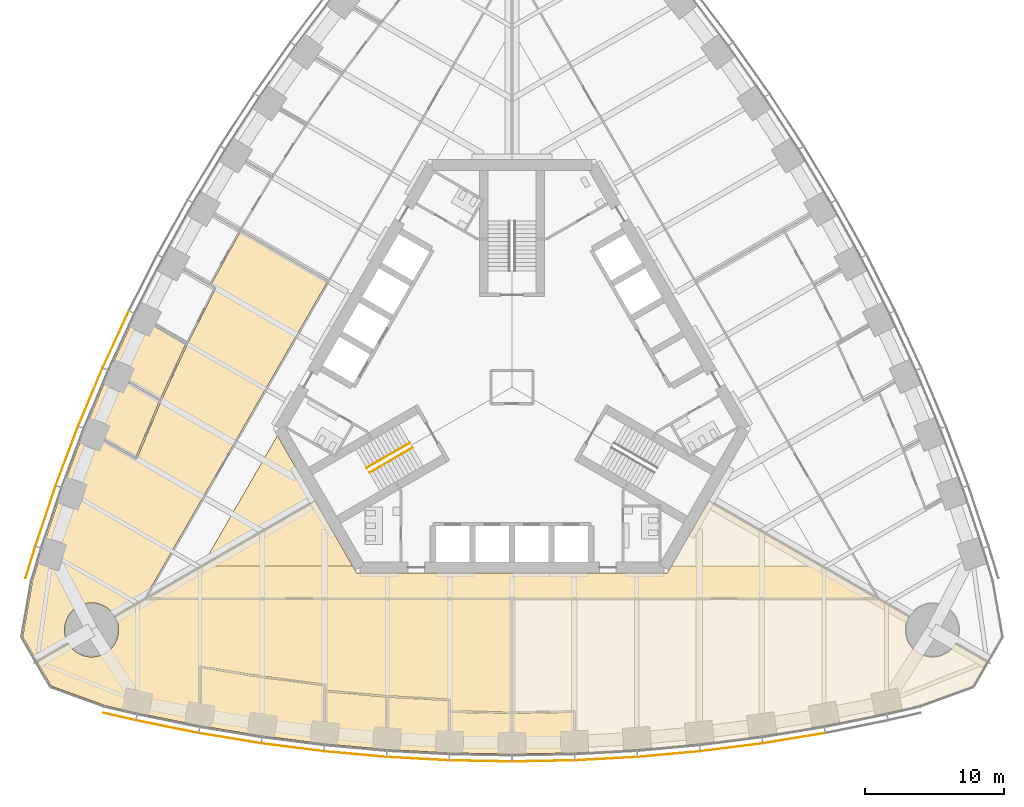
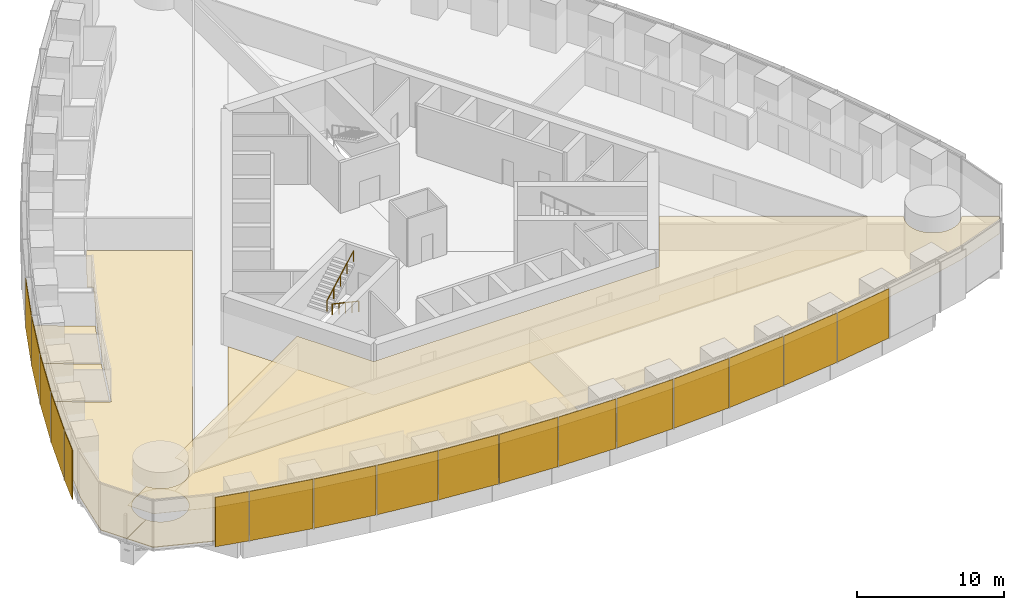
# One storey, part 14 of 18: 17 shading devices, 13 coverings, 2 railings.
"""IFC4 building model written with IfcOpenShell, lengths in metres."""

from ifc_helpers import new_model, si_unit, direction, frame, origin, origin_2d, place, context, subcontext, project, spatial, polyline, rectangle, circle, outline, extrude, material, layer, layer_set, type_object, element, save


model = new_model("IFC4")

# Units and contexts
model_context = context("Model", 3, precision=1e-05, world=origin(), true_north=direction((0.0, 1.0)))
body_context = subcontext(model_context, "Body", "Model", "MODEL_VIEW")
ifc_project = project(units=[si_unit("LENGTHUNIT", "METRE"), si_unit("AREAUNIT", "SQUARE_METRE"), si_unit("VOLUMEUNIT", "CUBIC_METRE"), si_unit("PLANEANGLEUNIT", "RADIAN"), si_unit("MASSUNIT", "GRAM", prefix="KILO")], contexts=[model_context])

# Site, building, storey
site_placement = place(None, origin())
site = spatial("IfcSite", under=ifc_project, at=site_placement, CompositionType="ELEMENT")
building_placement = place(site_placement, origin())
building = spatial("IfcBuilding", under=site, at=building_placement, Name="Trefoil Bronze Tower", CompositionType="ELEMENT")
storey_placement = place(building_placement, frame((0.0, 0.0, 161.89990234375)))
storey = spatial("IfcBuildingStorey", under=building, at=storey_placement, Name="L37", CompositionType="ELEMENT", Elevation=161.89990234375)

# Shading devices
ifc_material_1 = material(Name="Perforated bronze sheet", Category="bronze")
ifc_layer_1 = layer(ifc_material_1, 0.0400390625)
ifc_layer_set_1 = layer_set([ifc_layer_1], Name="Bronze solar screen panel")
shading_device_type = type_object("IfcShadingDeviceType", Name="Bronze solar screen panel", PredefinedType="SHUTTER", material=ifc_layer_set_1)
shading_device_1_placement = place(storey_placement, frame((-28.30078125, -23.748779296875, 0.050048828125), z_axis=(0.0, 0.0, 1.0), x_axis=(0.97420444715, -0.225667222151, 0.0)))
element("IfcShadingDevice", 1, at=shading_device_1_placement, inside=storey, type_object=shading_device_type, Name="Solar screen CW-A L37 F1 bay 1", PredefinedType="SHUTTER", context=body_context, shape_type="SweptSolid", body=[
    extrude(rectangle(XDim=2.39013671875, YDim=0.0400390625, at=origin_2d()), origin(), (0.0, 0.0, 1.0), 4.10009765625),
])
shading_device_2_placement = place(storey_placement, frame((-24.85693359375, -24.480224609375, 0.050048828125), z_axis=(0.0, 0.0, 1.0), x_axis=(0.980155155547, -0.198231861853, 0.0)))
element("IfcShadingDevice", 2, at=shading_device_2_placement, inside=storey, type_object=shading_device_type, Name="Solar screen CW-A L37 F1 bay 2", PredefinedType="SHUTTER", context=body_context, shape_type="SweptSolid", body=[
    extrude(rectangle(XDim=4.56103515625, YDim=0.0400390625, at=origin_2d()), origin(), (0.0, 0.0, 1.0), 4.10009765625),
])
shading_device_3_placement = place(storey_placement, frame((-20.337646484375, -25.30859375, 0.050048828125), z_axis=(0.0, 0.0, 1.0), x_axis=(0.986759655731, -0.162189339418, 0.0)))
element("IfcShadingDevice", 3, at=shading_device_3_placement, inside=storey, type_object=shading_device_type, Name="Solar screen CW-A L37 F1 bay 3", PredefinedType="SHUTTER", context=body_context, shape_type="SweptSolid", body=[
    extrude(rectangle(XDim=4.5302734375, YDim=0.0400390625, at=origin_2d()), origin(), (0.0, 0.0, 1.0), 4.10009765625),
])
shading_device_4_placement = place(storey_placement, frame((-15.818115234375, -25.96728515625, 0.050048828125), z_axis=(0.0, 0.0, 1.0), x_axis=(0.992011554286, -0.126147041833, 0.0)))
element("IfcShadingDevice", 4, at=shading_device_4_placement, inside=storey, type_object=shading_device_type, Name="Solar screen CW-A L37 F1 bay 4", PredefinedType="SHUTTER", context=body_context, shape_type="SweptSolid", body=[
    extrude(rectangle(XDim=4.50634765625, YDim=0.0400390625, at=origin_2d()), origin(), (0.0, 0.0, 1.0), 4.10009765625),
])
shading_device_5_placement = place(storey_placement, frame((-11.298583984375, -26.459228515625, 0.050048828125), z_axis=(0.0, 0.0, 1.0), x_axis=(0.995932279146, -0.090104913044, 0.0)))
element("IfcShadingDevice", 5, at=shading_device_5_placement, inside=storey, type_object=shading_device_type, Name="Solar screen CW-A L37 F1 bay 5", PredefinedType="SHUTTER", context=body_context, shape_type="SweptSolid", body=[
    extrude(rectangle(XDim=4.48828125, YDim=0.0400390625, at=origin_2d()), origin(), (0.0, 0.0, 1.0), 4.10009765625),
])
shading_device_6_placement = place(storey_placement, frame((-6.779296875, -26.785888671875, 0.050048828125), z_axis=(0.0, 0.0, 1.0), x_axis=(0.998537531923, -0.054062901701, 0.0)))
element("IfcShadingDevice", 6, at=shading_device_6_placement, inside=storey, type_object=shading_device_type, Name="Solar screen CW-A L37 F1 bay 6", PredefinedType="SHUTTER", context=body_context, shape_type="SweptSolid", body=[
    extrude(rectangle(XDim=4.4765625, YDim=0.0400390625, at=origin_2d()), origin(), (0.0, 0.0, 1.0), 4.10009765625),
])
for number, where, z_axis, x_axis, name in (
    (7, (-2.259765625, -26.948974609375, 0.050048828125), (0.0, 0.0, 1.0), (0.999837609322, -0.018020959612, 0.0), "Solar screen CW-A L37 F1 bay 7"),
    (8, (2.259765625, -26.948974609375, 0.050048828125), (0.0, 0.0, 1.0), (0.999837609322, 0.018020959612, 0.0), "Solar screen CW-A L37 F1 bay 8"),
):
    element("IfcShadingDevice", number, at=place(storey_placement, frame(where, z_axis=z_axis, x_axis=x_axis)), inside=storey, type_object=shading_device_type, Name=name, PredefinedType="SHUTTER", context=body_context, shape_type="SweptSolid", body=[
        extrude(rectangle(XDim=4.470703125, YDim=0.0400390625, at=origin_2d()), origin(), (0.0, 0.0, 1.0), 4.10009765625),
    ])
shading_device_7_placement = place(storey_placement, frame((6.779296875, -26.785888671875, 0.050048828125), z_axis=(0.0, 0.0, 1.0), x_axis=(0.998537531923, 0.054062901701, 0.0)))
element("IfcShadingDevice", 9, at=shading_device_7_placement, inside=storey, type_object=shading_device_type, Name="Solar screen CW-A L37 F1 bay 9", PredefinedType="SHUTTER", context=body_context, shape_type="SweptSolid", body=[
    extrude(rectangle(XDim=4.4765625, YDim=0.0400390625, at=origin_2d()), origin(), (0.0, 0.0, 1.0), 4.10009765625),
])
shading_device_8_placement = place(storey_placement, frame((11.298583984375, -26.459228515625, 0.050048828125), z_axis=(0.0, 0.0, 1.0), x_axis=(0.995932279146, 0.090104913044, 0.0)))
element("IfcShadingDevice", 10, at=shading_device_8_placement, inside=storey, type_object=shading_device_type, Name="Solar screen CW-A L37 F1 bay 10", PredefinedType="SHUTTER", context=body_context, shape_type="SweptSolid", body=[
    extrude(rectangle(XDim=4.48828125, YDim=0.0400390625, at=origin_2d()), origin(), (0.0, 0.0, 1.0), 4.10009765625),
])
shading_device_9_placement = place(storey_placement, frame((15.818115234375, -25.96728515625, 0.050048828125), z_axis=(0.0, 0.0, 1.0), x_axis=(0.992011554286, 0.126147041833, 0.0)))
element("IfcShadingDevice", 11, at=shading_device_9_placement, inside=storey, type_object=shading_device_type, Name="Solar screen CW-A L37 F1 bay 11", PredefinedType="SHUTTER", context=body_context, shape_type="SweptSolid", body=[
    extrude(rectangle(XDim=4.50634765625, YDim=0.0400390625, at=origin_2d()), origin(), (0.0, 0.0, 1.0), 4.10009765625),
])
shading_device_10_placement = place(storey_placement, frame((20.337646484375, -25.30859375, 0.050048828125), z_axis=(0.0, 0.0, 1.0), x_axis=(0.986759655731, 0.162189339418, 0.0)))
element("IfcShadingDevice", 12, at=shading_device_10_placement, inside=storey, type_object=shading_device_type, Name="Solar screen CW-A L37 F1 bay 12", PredefinedType="SHUTTER", context=body_context, shape_type="SweptSolid", body=[
    extrude(rectangle(XDim=4.5302734375, YDim=0.0400390625, at=origin_2d()), origin(), (0.0, 0.0, 1.0), 4.10009765625),
])
shading_device_11_placement = place(storey_placement, frame((-28.563720703125, 3.444580078125, 0.050048828125), z_axis=(0.0, 0.0, 1.0), x_axis=(-0.419932995871, -0.907555110712, 0.0)))
element("IfcShadingDevice", 13, at=shading_device_11_placement, inside=storey, type_object=shading_device_type, Name="Solar screen CW-A L37 F3 bay 10", PredefinedType="SHUTTER", context=body_context, shape_type="SweptSolid", body=[
    extrude(rectangle(XDim=4.48828125, YDim=0.0400390625, at=origin_2d()), origin(), (0.0, 0.0, 1.0), 4.10009765625),
])
shading_device_12_placement = place(storey_placement, frame((-30.3974609375, -0.715087890625, 0.050048828125), z_axis=(0.0, 0.0, 1.0), x_axis=(-0.386759234303, -0.922180727776, 0.0)))
element("IfcShadingDevice", 14, at=shading_device_12_placement, inside=storey, type_object=shading_device_type, Name="Solar screen CW-A L37 F3 bay 11", PredefinedType="SHUTTER", context=body_context, shape_type="SweptSolid", body=[
    extrude(rectangle(XDim=4.50634765625, YDim=0.0400390625, at=origin_2d()), origin(), (0.0, 0.0, 1.0), 4.10009765625),
])
shading_device_13_placement = place(storey_placement, frame((-32.086669921875, -4.95849609375, 0.050048828125), z_axis=(0.0, 0.0, 1.0), x_axis=(-0.352919739707, -0.935653599002, 0.0)))
element("IfcShadingDevice", 15, at=shading_device_13_placement, inside=storey, type_object=shading_device_type, Name="Solar screen CW-A L37 F3 bay 12", PredefinedType="SHUTTER", context=body_context, shape_type="SweptSolid", body=[
    extrude(rectangle(XDim=4.5302734375, YDim=0.0400390625, at=origin_2d()), origin(), (0.0, 0.0, 1.0), 4.10009765625),
])
shading_device_14_placement = place(storey_placement, frame((-33.62890625, -9.286865234375, 0.050048828125), z_axis=(0.0, 0.0, 1.0), x_axis=(-0.318403749569, -0.947955195281, 0.0)))
element("IfcShadingDevice", 16, at=shading_device_14_placement, inside=storey, type_object=shading_device_type, Name="Solar screen CW-A L37 F3 bay 13", PredefinedType="SHUTTER", context=body_context, shape_type="SweptSolid", body=[
    extrude(rectangle(XDim=4.56103515625, YDim=0.0400390625, at=origin_2d()), origin(), (0.0, 0.0, 1.0), 4.10009765625),
])
shading_device_15_placement = place(storey_placement, frame((-34.717529296875, -12.634765625, 0.050048828125), z_axis=(0.0, 0.0, 1.0), x_axis=(-0.291668676391, -0.956519410787, 0.0)))
element("IfcShadingDevice", 17, at=shading_device_15_placement, inside=storey, type_object=shading_device_type, Name="Solar screen CW-A L37 F3 bay 14", PredefinedType="SHUTTER", context=body_context, shape_type="SweptSolid", body=[
    extrude(rectangle(XDim=2.39013671875, YDim=0.0400390625, at=origin_2d()), origin(), (0.0, 0.0, 1.0), 4.10009765625),
])

# Railings
ifc_material_2 = material(Name="Steel handrail", Category="steel")
railing_type = type_object("IfcRailingType", Name="Handrail 900", PredefinedType="HANDRAIL", material=ifc_material_2)
railing_1_placement = place(storey_placement, frame((-7.166015625, -4.3681640625, 0.16162109375)))
element("IfcRailing", 18, at=railing_1_placement, inside=storey, type_object=railing_type, Name="Handrail ST3 flight 1 L37", PredefinedType="HANDRAIL", context=body_context, shape_type="SweptSolid", body=[
    extrude(circle(Radius=0.02392578125, at=origin_2d()), frame((0.0, 0.0, 0.8759765625), z_axis=(-0.76250339821, -0.440245697338, 0.474101564745), x_axis=(0.500012057535, -0.866018442252, 0.0)), (0.0, 0.0, 1.0), 4.088623046875),
    extrude(circle(Radius=0.02099609375, at=origin_2d()), origin(), (0.0, 0.0, 1.0), 0.851806640625),
    extrude(circle(Radius=0.02099609375, at=origin_2d()), frame((-0.779296875, -0.449951171875, 0.484619140625)), (0.0, 0.0, 1.0), 0.851806640625),
    extrude(circle(Radius=0.02099609375, at=origin_2d()), frame((-1.558837890625, -0.89990234375, 0.96923828125)), (0.0, 0.0, 1.0), 0.851806640625),
    extrude(circle(Radius=0.02099609375, at=origin_2d()), frame((-2.33837890625, -1.35009765625, 1.453857421875)), (0.0, 0.0, 1.0), 0.851806640625),
    extrude(circle(Radius=0.02099609375, at=origin_2d()), frame((-3.11767578125, -1.800048828125, 1.9384765625)), (0.0, 0.0, 1.0), 0.851806640625),
])
railing_2_placement = place(storey_placement, frame((-10.483642578125, -5.82177734375, 2.26171875)))
element("IfcRailing", 19, at=railing_2_placement, inside=storey, type_object=railing_type, Name="Handrail ST3 flight 2 L37", PredefinedType="HANDRAIL", context=body_context, shape_type="SweptSolid", body=[
    extrude(circle(Radius=0.02392578125, at=origin_2d()), frame((0.0, 0.0, 0.8759765625), z_axis=(0.76250339821, 0.440245697338, 0.474101564745), x_axis=(-0.500012057535, 0.866018442252, 0.0)), (0.0, 0.0, 1.0), 4.088623046875),
    extrude(circle(Radius=0.02099609375, at=origin_2d()), origin(), (0.0, 0.0, 1.0), 0.851806640625),
    extrude(circle(Radius=0.02099609375, at=origin_2d()), frame((0.779296875, 0.449951171875, 0.484619140625)), (0.0, 0.0, 1.0), 0.851806640625),
    extrude(circle(Radius=0.02099609375, at=origin_2d()), frame((1.558837890625, 0.89990234375, 0.96923828125)), (0.0, 0.0, 1.0), 0.851806640625),
    extrude(circle(Radius=0.02099609375, at=origin_2d()), frame((2.33837890625, 1.35009765625, 1.453857421875)), (0.0, 0.0, 1.0), 0.851806640625),
    extrude(circle(Radius=0.02099609375, at=origin_2d()), frame((3.11767578125, 1.800048828125, 1.9384765625)), (0.0, 0.0, 1.0), 0.851806640625),
])

# Coverings
ifc_material_3 = material(Name="Acoustic ceiling panels", Category="mineral fibre")
ifc_layer_2 = layer(ifc_material_3, 0.02001953125)
ifc_layer_set_2 = layer_set([ifc_layer_2], Name="Office ceiling 20")
covering_type_1 = type_object("IfcCoveringType", Name="Office ceiling 20", PredefinedType="CEILING", material=ifc_layer_set_2)
covering_1_placement = place(storey_placement, frame((0.0, 0.0, 2.900146484375)))
element("IfcCovering", 20, at=covering_1_placement, inside=storey, type_object=covering_type_1, Name="Ceiling L37 Workspace F1", PredefinedType="CEILING", context=body_context, shape_type="SweptSolid", body=[
    extrude(outline(polyline([(-31.932373046875, -18.58349609375), (-31.877197265625, -18.66162109375), (-31.818359375, -18.737060546875), (-31.755615234375, -18.8095703125), (-31.689697265625, -18.87890625), (-31.620361328125, -18.94482421875), (-31.548095703125, -19.00732421875), (-31.472412109375, -19.06640625), (-31.394287109375, -19.121337890625), (-31.3134765625, -19.172607421875), (-31.22998046875, -19.2197265625), (-31.14453125, -19.2626953125), (-31.05712890625, -19.301513671875), (-30.9677734375, -19.3359375), (-30.876953125, -19.365966796875), (-30.78466796875, -19.3916015625), (-30.69140625, -19.41259765625), (-30.596923828125, -19.428955078125), (-30.501953125, -19.440673828125), (-30.406494140625, -19.44775390625), (-30.310791015625, -19.449951171875), (-30.215087890625, -19.44775390625), (-30.119873046875, -19.440673828125), (-30.02490234375, -19.428955078125), (-29.930419921875, -19.41259765625), (-29.837158203125, -19.3916015625), (-29.744873046875, -19.365966796875), (-29.654052734375, -19.3359375), (-29.564697265625, -19.301513671875), (-29.477294921875, -19.2626953125), (-29.3916015625, -19.2197265625), (-29.308349609375, -19.172607421875), (-29.2275390625, -19.121337890625), (-29.1494140625, -19.06640625), (-29.07373046875, -19.00732421875), (-29.001220703125, -18.94482421875), (-28.931884765625, -18.87890625), (-28.865966796875, -18.8095703125), (-28.803466796875, -18.737060546875), (-28.74462890625, -18.66162109375), (-28.689453125, -18.58349609375), (-28.63818359375, -18.50244140625), (-28.591064453125, -18.419189453125), (-28.548095703125, -18.333740234375), (-28.50927734375, -18.24609375), (-28.474853515625, -18.156982421875), (-28.44482421875, -18.066162109375), (-28.419189453125, -17.973876953125), (-28.3984375, -17.88037109375), (-28.382080078125, -17.7861328125), (-28.370361328125, -17.691162109375), (-28.36328125, -17.595703125), (-28.36083984375, -17.5), (-28.36328125, -17.404296875), (-28.370361328125, -17.308837890625), (-28.382080078125, -17.2138671875), (-28.3984375, -17.11962890625), (-28.419189453125, -17.026123046875), (-28.44482421875, -16.933837890625), (-28.474853515625, -16.843017578125), (-28.50927734375, -16.75390625), (-28.548095703125, -16.666259765625), (-28.591064453125, -16.580810546875), (-28.616455078125, -16.535888671875), (-14.19970703125, -8.205322265625), (-11.20068359375, -13.39990234375), (11.20068359375, -13.39990234375), (14.19970703125, -8.205322265625), (28.616455078125, -16.535888671875), (28.591064453125, -16.580810546875), (28.548095703125, -16.666259765625), (28.50927734375, -16.75390625), (28.474853515625, -16.843017578125), (28.44482421875, -16.933837890625), (28.419189453125, -17.026123046875), (28.3984375, -17.11962890625), (28.382080078125, -17.2138671875), (28.370361328125, -17.308837890625), (28.36328125, -17.404296875), (28.36083984375, -17.5), (28.36328125, -17.595703125), (28.370361328125, -17.691162109375), (28.382080078125, -17.7861328125), (28.3984375, -17.88037109375), (28.419189453125, -17.973876953125), (28.44482421875, -18.066162109375), (28.474853515625, -18.156982421875), (28.50927734375, -18.24609375), (28.548095703125, -18.333740234375), (28.591064453125, -18.419189453125), (28.63818359375, -18.50244140625), (28.689453125, -18.58349609375), (28.74462890625, -18.66162109375), (28.803466796875, -18.737060546875), (28.865966796875, -18.8095703125), (28.931884765625, -18.87890625), (29.001220703125, -18.94482421875), (29.07373046875, -19.00732421875), (29.1494140625, -19.06640625), (29.2275390625, -19.121337890625), (29.308349609375, -19.172607421875), (29.3916015625, -19.2197265625), (29.477294921875, -19.2626953125), (29.564697265625, -19.301513671875), (29.654052734375, -19.3359375), (29.744873046875, -19.365966796875), (29.837158203125, -19.3916015625), (29.930419921875, -19.41259765625), (30.02490234375, -19.428955078125), (30.119873046875, -19.440673828125), (30.215087890625, -19.44775390625), (30.310791015625, -19.449951171875), (30.406494140625, -19.44775390625), (30.501953125, -19.440673828125), (30.596923828125, -19.428955078125), (30.69140625, -19.41259765625), (30.78466796875, -19.3916015625), (30.876953125, -19.365966796875), (30.9677734375, -19.3359375), (31.05712890625, -19.301513671875), (31.14453125, -19.2626953125), (31.22998046875, -19.2197265625), (31.3134765625, -19.172607421875), (31.394287109375, -19.121337890625), (31.472412109375, -19.06640625), (31.548095703125, -19.00732421875), (31.620361328125, -18.94482421875), (31.689697265625, -18.87890625), (31.755615234375, -18.8095703125), (31.818359375, -18.737060546875), (31.877197265625, -18.66162109375), (31.932373046875, -18.58349609375), (31.992431640625, -18.48681640625), (34.233154296875, -19.781494140625), (33.21435546875, -21.5458984375), (29.357666015625, -22.94970703125), (27.0, -23.495849609375), (22.5, -24.406005859375), (18.0, -25.1455078125), (13.5, -25.7177734375), (9.0, -26.125), (4.5, -26.36865234375), (0.0, -26.44970703125), (-4.5, -26.36865234375), (-9.0, -26.125), (-13.5, -25.7177734375), (-18.0, -25.1455078125), (-22.5, -24.406005859375), (-27.0, -23.495849609375), (-29.357666015625, -22.94970703125), (-33.21435546875, -21.5458984375), (-34.233154296875, -19.781494140625), (-31.992431640625, -18.48681640625), (-31.932373046875, -18.58349609375)])), origin(), (0.0, 0.0, 1.0), 0.02001953125),
])
ifc_material_4 = material(Name="Raised access floor panels", Category="steel")
ifc_layer_3 = layer(ifc_material_4, 0.050048828125)
ifc_layer_set_3 = layer_set([ifc_layer_3], Name="Raised access floor 150")
covering_type_2 = type_object("IfcCoveringType", Name="Raised access floor 150", PredefinedType="FLOORING", material=ifc_layer_set_3)
covering_2_placement = place(storey_placement, frame((0.0, 0.0, 0.10009765625)))
element("IfcCovering", 21, at=covering_2_placement, inside=storey, type_object=covering_type_2, Name="Raised floor L37 Kitchen and breakout F1", PredefinedType="FLOORING", context=body_context, shape_type="SweptSolid", body=[
    extrude(outline(polyline([(-18.0, -25.1455078125), (-22.5, -24.406005859375), (-22.5, -22.748779296875), (-22.43994140625, -22.748779296875), (-22.43994140625, -20.2265625), (-18.009765625, -20.954833984375), (-18.0, -20.8955078125), (-18.007568359375, -20.955078125), (-13.56005859375, -21.520751953125), (-13.56005859375, -24.078125), (-13.5, -24.078125), (-13.5, -25.7177734375), (-18.0, -25.1455078125)])), origin(), (0.0, 0.0, 1.0), 0.050048828125),
])
covering_3_placement = place(storey_placement, frame((0.0, 0.0, 0.10009765625)))
element("IfcCovering", 22, at=covering_3_placement, inside=storey, type_object=covering_type_2, Name="Raised floor L37 Team room F1", PredefinedType="FLOORING", context=body_context, shape_type="SweptSolid", body=[
    extrude(outline(polyline([(-9.0, -26.125), (-13.5, -25.7177734375), (-13.5, -24.078125), (-13.43994140625, -24.078125), (-13.43994140625, -21.95849609375), (-9.06005859375, -22.354736328125), (-9.06005859375, -24.49072265625), (-9.0, -24.49072265625), (-9.0, -26.125)])), origin(), (0.0, 0.0, 1.0), 0.050048828125),
])
covering_4_placement = place(storey_placement, frame((0.0, 0.0, 0.10009765625)))
element("IfcCovering", 23, at=covering_4_placement, inside=storey, type_object=covering_type_2, Name="Raised floor L37 Team room F1", PredefinedType="FLOORING", context=body_context, shape_type="SweptSolid", body=[
    extrude(outline(polyline([(-4.5, -26.36865234375), (-9.0, -26.125), (-9.0, -24.49072265625), (-8.93994140625, -24.49072265625), (-8.93994140625, -22.36328125), (-4.56005859375, -22.600341796875), (-4.56005859375, -24.737548828125), (-4.5, -24.737548828125), (-4.5, -26.36865234375)])), origin(), (0.0, 0.0, 1.0), 0.050048828125),
])
covering_5_placement = place(storey_placement, frame((0.0, 0.0, 0.10009765625)))
element("IfcCovering", 24, at=covering_5_placement, inside=storey, type_object=covering_type_2, Name="Raised floor L37 Focus room F1", PredefinedType="FLOORING", context=body_context, shape_type="SweptSolid", body=[
    extrude(outline(polyline([(0.0, -26.44970703125), (-4.5, -26.36865234375), (-4.5, -24.737548828125), (-4.43994140625, -24.737548828125), (-4.43994140625, -23.45458984375), (-0.074951171875, -23.533203125), (-0.074951171875, -24.819580078125), (0.0, -24.819580078125), (0.0, -26.44970703125)])), origin(), (0.0, 0.0, 1.0), 0.050048828125),
])
covering_6_placement = place(storey_placement, frame((0.0, 0.0, 0.10009765625)))
element("IfcCovering", 25, at=covering_6_placement, inside=storey, type_object=covering_type_2, Name="Raised floor L37 Focus room F1", PredefinedType="FLOORING", context=body_context, shape_type="SweptSolid", body=[
    extrude(outline(polyline([(4.5, -26.36865234375), (0.0, -26.44970703125), (0.0, -24.819580078125), (0.074951171875, -24.819580078125), (0.074951171875, -23.533203125), (4.43994140625, -23.45458984375), (4.43994140625, -24.737548828125), (4.5, -24.737548828125), (4.5, -26.36865234375)])), origin(), (0.0, 0.0, 1.0), 0.050048828125),
])
covering_7_placement = place(storey_placement, frame((0.0, 0.0, 0.10009765625)))
element("IfcCovering", 26, at=covering_7_placement, inside=storey, type_object=covering_type_2, Name="Raised floor L37 Corridor F1", PredefinedType="FLOORING", context=body_context, shape_type="SweptSolid", body=[
    extrude(outline(polyline([(-26.304443359375, -15.199951171875), (-22.32421875, -12.89990234375), (-11.4892578125, -12.89990234375), (-11.20068359375, -13.39990234375), (11.20068359375, -13.39990234375), (11.4892578125, -12.89990234375), (22.32421875, -12.89990234375), (26.304443359375, -15.199951171875), (-26.304443359375, -15.199951171875)])), origin(), (0.0, 0.0, 1.0), 0.050048828125),
])
covering_8_placement = place(storey_placement, frame((0.0, 0.0, 0.10009765625)))
element("IfcCovering", 27, at=covering_8_placement, inside=storey, type_object=covering_type_2, Name="Raised floor L37 Workspace F1", PredefinedType="FLOORING", context=body_context, shape_type="SweptSolid", body=[
    extrude(outline(polyline([(-28.50927734375, -16.75390625), (-28.548095703125, -16.666259765625), (-28.591064453125, -16.580810546875), (-28.616455078125, -16.535888671875), (-26.398193359375, -15.254150390625), (-26.398193359375, -15.320068359375), (-0.074951171875, -15.320068359375), (-0.074951171875, -23.413330078125), (-4.43994140625, -23.334716796875), (-4.43994140625, -22.543701171875), (-4.5, -22.543701171875), (-4.496826171875, -22.483642578125), (-8.99560546875, -22.239990234375), (-13.43994140625, -21.837890625), (-13.43994140625, -21.4677734375), (-13.5, -21.4677734375), (-13.492431640625, -21.408203125), (-16.75146484375, -20.993896484375), (-19.231201171875, -20.63232421875), (-22.490234375, -20.0966796875), (-22.5, -20.156005859375), (-22.56005859375, -20.156005859375), (-22.56005859375, -22.748779296875), (-22.5, -22.748779296875), (-22.5, -24.406005859375), (-27.0, -23.495849609375), (-29.357666015625, -22.94970703125), (-33.21435546875, -21.5458984375), (-34.233154296875, -19.781494140625), (-31.992431640625, -18.48681640625), (-31.932373046875, -18.58349609375), (-31.877197265625, -18.66162109375), (-31.818359375, -18.737060546875), (-31.755615234375, -18.8095703125), (-31.689697265625, -18.87890625), (-31.620361328125, -18.94482421875), (-31.548095703125, -19.00732421875), (-31.472412109375, -19.06640625), (-31.394287109375, -19.121337890625), (-31.3134765625, -19.172607421875), (-31.22998046875, -19.2197265625), (-31.14453125, -19.2626953125), (-31.05712890625, -19.301513671875), (-30.9677734375, -19.3359375), (-30.876953125, -19.365966796875), (-30.78466796875, -19.3916015625), (-30.69140625, -19.41259765625), (-30.596923828125, -19.428955078125), (-30.501953125, -19.440673828125), (-30.406494140625, -19.44775390625), (-30.310791015625, -19.449951171875), (-30.215087890625, -19.44775390625), (-30.119873046875, -19.440673828125), (-30.02490234375, -19.428955078125), (-29.930419921875, -19.41259765625), (-29.837158203125, -19.3916015625), (-29.744873046875, -19.365966796875), (-29.654052734375, -19.3359375), (-29.564697265625, -19.301513671875), (-29.477294921875, -19.2626953125), (-29.3916015625, -19.2197265625), (-29.308349609375, -19.172607421875), (-29.2275390625, -19.121337890625), (-29.1494140625, -19.06640625), (-29.07373046875, -19.00732421875), (-29.001220703125, -18.94482421875), (-28.931884765625, -18.87890625), (-28.865966796875, -18.8095703125), (-28.803466796875, -18.737060546875), (-28.74462890625, -18.66162109375), (-28.689453125, -18.58349609375), (-28.63818359375, -18.50244140625), (-28.591064453125, -18.419189453125), (-28.548095703125, -18.333740234375), (-28.50927734375, -18.24609375), (-28.474853515625, -18.156982421875), (-28.44482421875, -18.066162109375), (-28.419189453125, -17.973876953125), (-28.3984375, -17.88037109375), (-28.382080078125, -17.7861328125), (-28.370361328125, -17.691162109375), (-28.36328125, -17.595703125), (-28.36083984375, -17.5), (-28.36328125, -17.404296875), (-28.370361328125, -17.308837890625), (-28.382080078125, -17.2138671875), (-28.3984375, -17.11962890625), (-28.419189453125, -17.026123046875), (-28.44482421875, -16.933837890625), (-28.474853515625, -16.843017578125), (-28.50927734375, -16.75390625)])), origin(), (0.0, 0.0, 1.0), 0.050048828125),
])
covering_9_placement = place(storey_placement, frame((0.0, 0.0, 0.10009765625)))
element("IfcCovering", 28, at=covering_9_placement, inside=storey, type_object=covering_type_2, Name="Raised floor L37 Workspace F1", PredefinedType="FLOORING", context=body_context, shape_type="SweptSolid", body=[
    extrude(outline(polyline([(-22.32421875, -12.89990234375), (-14.19970703125, -8.205322265625), (-11.4892578125, -12.89990234375), (-22.32421875, -12.89990234375)])), origin(), (0.0, 0.0, 1.0), 0.050048828125),
])
covering_10_placement = place(storey_placement, frame((0.0, 0.0, 0.10009765625)))
element("IfcCovering", 29, at=covering_10_placement, inside=storey, type_object=covering_type_2, Name="Raised floor L37 Meeting room F3", PredefinedType="FLOORING", context=body_context, shape_type="SweptSolid", body=[
    extrude(outline(polyline([(-29.022216796875, 1.16748046875), (-27.124755859375, 5.268310546875), (-25.709716796875, 4.451171875), (-25.739501953125, 4.399169921875), (-23.521728515625, 3.11865234375), (-25.368408203125, -0.87255859375), (-27.572509765625, 0.399658203125), (-27.602294921875, 0.347900390625), (-29.022216796875, 1.16748046875)])), origin(), (0.0, 0.0, 1.0), 0.050048828125),
])
covering_11_placement = place(storey_placement, frame((0.0, 0.0, 0.10009765625)))
element("IfcCovering", 30, at=covering_11_placement, inside=storey, type_object=covering_type_2, Name="Raised floor L37 Meeting room F3", PredefinedType="FLOORING", context=body_context, shape_type="SweptSolid", body=[
    extrude(outline(polyline([(-30.776611328125, -3.015625), (-29.022216796875, 1.16748046875), (-27.602294921875, 0.347900390625), (-27.63232421875, 0.2958984375), (-25.41748046875, -0.98291015625), (-27.125, -5.0546875), (-29.3203125, -3.787353515625), (-29.350341796875, -3.839111328125), (-30.776611328125, -3.015625)])), origin(), (0.0, 0.0, 1.0), 0.050048828125),
])
covering_12_placement = place(storey_placement, frame((0.0, 0.0, 0.10009765625)))
element("IfcCovering", 31, at=covering_12_placement, inside=storey, type_object=covering_type_2, Name="Raised floor L37 Workspace F3", PredefinedType="FLOORING", context=body_context, shape_type="SweptSolid", body=[
    extrude(outline(polyline([(-35.2666015625, -17.99169921875), (-34.5537109375, -13.94970703125), (-33.847900390625, -11.634765625), (-32.385986328125, -7.28271484375), (-30.776611328125, -3.015625), (-29.350341796875, -3.839111328125), (-29.38037109375, -3.89111328125), (-27.126220703125, -5.192626953125), (-27.09619140625, -5.140625), (-27.040771484375, -5.163818359375), (-25.28662109375, -0.981689453125), (-23.39013671875, 3.1171875), (-21.351806640625, 7.135009765625), (-21.4052734375, 7.162109375), (-21.375244140625, 7.214111328125), (-21.6923828125, 7.397216796875), (-19.577880859375, 11.216796875), (-13.304931640625, 7.594970703125), (-26.466552734375, -15.201416015625), (-26.40966796875, -15.234375), (-28.628662109375, -16.514404296875), (-28.689453125, -16.41650390625), (-28.74462890625, -16.33837890625), (-28.803466796875, -16.262939453125), (-28.865966796875, -16.1904296875), (-28.931884765625, -16.12109375), (-29.001220703125, -16.05517578125), (-29.07373046875, -15.99267578125), (-29.1494140625, -15.93359375), (-29.2275390625, -15.878662109375), (-29.308349609375, -15.827392578125), (-29.3916015625, -15.7802734375), (-29.477294921875, -15.7373046875), (-29.564697265625, -15.698486328125), (-29.654052734375, -15.6640625), (-29.744873046875, -15.634033203125), (-29.837158203125, -15.6083984375), (-29.930419921875, -15.58740234375), (-30.02490234375, -15.571044921875), (-30.119873046875, -15.559326171875), (-30.215087890625, -15.55224609375), (-30.310791015625, -15.550048828125), (-30.406494140625, -15.55224609375), (-30.501953125, -15.559326171875), (-30.596923828125, -15.571044921875), (-30.69140625, -15.58740234375), (-30.78466796875, -15.6083984375), (-30.876953125, -15.634033203125), (-30.9677734375, -15.6640625), (-31.05712890625, -15.698486328125), (-31.14453125, -15.7373046875), (-31.22998046875, -15.7802734375), (-31.3134765625, -15.827392578125), (-31.394287109375, -15.878662109375), (-31.472412109375, -15.93359375), (-31.548095703125, -15.99267578125), (-31.620361328125, -16.05517578125), (-31.689697265625, -16.12109375), (-31.755615234375, -16.1904296875), (-31.818359375, -16.262939453125), (-31.877197265625, -16.33837890625), (-31.932373046875, -16.41650390625), (-31.9833984375, -16.49755859375), (-32.030517578125, -16.580810546875), (-32.07373046875, -16.666259765625), (-32.112548828125, -16.75390625), (-32.14697265625, -16.843017578125), (-32.177001953125, -16.933837890625), (-32.202392578125, -17.026123046875), (-32.223388671875, -17.11962890625), (-32.23974609375, -17.2138671875), (-32.25146484375, -17.308837890625), (-32.258544921875, -17.404296875), (-32.260986328125, -17.5), (-32.258544921875, -17.595703125), (-32.25146484375, -17.691162109375), (-32.23974609375, -17.7861328125), (-32.223388671875, -17.88037109375), (-32.202392578125, -17.973876953125), (-32.177001953125, -18.066162109375), (-32.14697265625, -18.156982421875), (-32.112548828125, -18.24609375), (-32.07373046875, -18.333740234375), (-32.030517578125, -18.419189453125), (-32.006103515625, -18.462646484375), (-34.247802734375, -19.755859375), (-35.2666015625, -17.99169921875)])), origin(), (0.0, 0.0, 1.0), 0.050048828125),
])
covering_13_placement = place(storey_placement, frame((0.0, 0.0, 0.10009765625)))
element("IfcCovering", 32, at=covering_13_placement, inside=storey, type_object=covering_type_2, Name="Raised floor L37 Workspace F3", PredefinedType="FLOORING", context=body_context, shape_type="SweptSolid", body=[
    extrude(outline(polyline([(-14.205810546875, -8.194580078125), (-22.333740234375, -12.88330078125), (-16.91650390625, -3.5), (-14.205810546875, -8.194580078125)])), origin(), (0.0, 0.0, 1.0), 0.050048828125),
])

save(model, "model.ifc")
